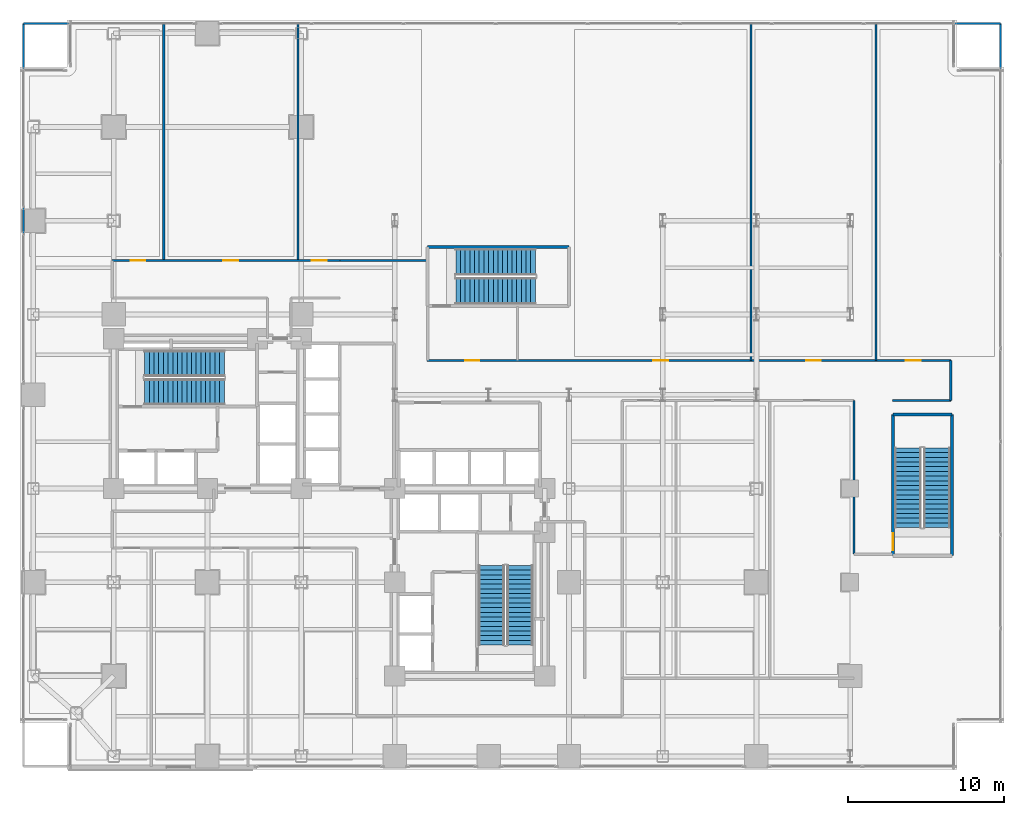
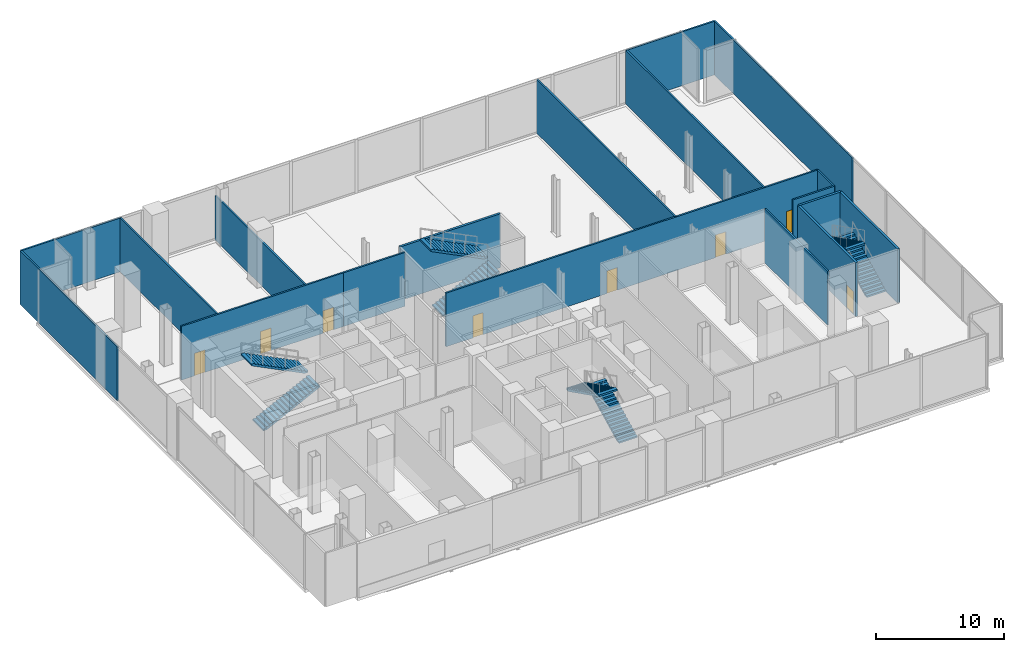
# One storey, part 23 of 27: 18 walls, 8 doors, 8 stair flights, 8 openings, 4 elements without a shape of their own.
"""IFC4 building model written with IfcOpenShell, lengths in metres."""

import ifcopenshell
import ifcopenshell.guid

model = None  # the IFC model being written
_history = None  # IfcOwnerHistory: only IFC2X3 demands one
_inside = {}  # id of a spatial element -> (the spatial element, [elements in it])
_under = {}  # id of a project, library or spatial element -> (it, [spatial elements below it])
_declared = {}  # id of a project -> (the project, [libraries it declares])
_typed = {}  # id of a type object -> (the type object, [elements of that type])
_made_of = {}  # id of a material, layer set ... -> (it, [elements and type objects made of it])


def new_model(schema):
    """Start an empty IFC model of exactly this schema.

    Asked for "IFC4X3", IfcOpenShell would pick the latest addendum, in which some entities
    have other attributes; the version numbers below select the first issue.
    IFC2X3 requires an IfcOwnerHistory on every rooted entity: one is made here for all.
    """
    global model, _history
    if schema == "IFC4X3":
        model = ifcopenshell.file(schema_version=(4, 3, 0, 0))
    else:
        model = ifcopenshell.file(schema=schema)
    _inside.clear()
    _under.clear()
    _declared.clear()
    _typed.clear()
    _made_of.clear()
    _history = None
    if model.schema == "IFC2X3":
        org = make("IfcOrganization", Name="unknown")
        user = make(
            "IfcPersonAndOrganization",
            ThePerson=make("IfcPerson", FamilyName="unknown"),
            TheOrganization=org,
        )
        app = make(
            "IfcApplication",
            ApplicationDeveloper=org,
            Version="unknown",
            ApplicationFullName="unknown",
            ApplicationIdentifier="unknown",
        )
        _history = make(
            "IfcOwnerHistory",
            OwningUser=user,
            OwningApplication=app,
            ChangeAction="ADDED",
            CreationDate=0,
        )
    return model


def make(cls, **values):
    """One entity of the class cls with the attributes given. An attribute that is None is left unset."""
    return model.create_entity(
        cls, **{name: value for name, value in values.items() if value is not None}
    )


def rooted(cls, **values):
    """An entity with a GlobalId (a new one), such as an element, a storey or a relation."""
    return make(cls, GlobalId=ifcopenshell.guid.new(), OwnerHistory=_history, **values)


def si_unit(unit_type, name, prefix=None):
    """IfcSIUnit, for example si_unit("LENGTHUNIT", "METRE", prefix="MILLI")."""
    return make("IfcSIUnit", UnitType=unit_type, Prefix=prefix, Name=name)


def assignment(units):
    """IfcUnitAssignment: the units of a project."""
    return None if units is None else make("IfcUnitAssignment", Units=units)


def point(xyz):
    """IfcCartesianPoint."""
    return None if xyz is None else make("IfcCartesianPoint", Coordinates=xyz)


def direction(xyz):
    """IfcDirection."""
    return None if xyz is None else make("IfcDirection", DirectionRatios=xyz)


def frame(location, z_axis=None, x_axis=None):
    """IfcAxis2Placement3D, a coordinate frame: its origin and axes. An axis left out is left unset."""
    return make(
        "IfcAxis2Placement3D",
        Location=point(location),
        Axis=direction(z_axis),
        RefDirection=direction(x_axis),
    )


def frame_2d(location, x_axis=None):
    """IfcAxis2Placement2D, a coordinate frame in the plane: its origin and x axis."""
    return make(
        "IfcAxis2Placement2D", Location=point(location), RefDirection=direction(x_axis)
    )


def origin():
    """The frame at (0, 0, 0) with its axes left unset."""
    return frame((0.0, 0.0, 0.0))


def place(relative_to, where):
    """IfcLocalPlacement: puts the frame where relative to a parent placement (None: the world)."""
    return make(
        "IfcLocalPlacement", PlacementRelTo=relative_to, RelativePlacement=where
    )


def context(
    kind, dimensions, precision=None, world=None, true_north=None, identifier=None
):
    """IfcGeometricRepresentationContext, for example the 3D "Model" context."""
    return make(
        "IfcGeometricRepresentationContext",
        ContextIdentifier=identifier,
        ContextType=kind,
        CoordinateSpaceDimension=dimensions,
        Precision=precision,
        WorldCoordinateSystem=world,
        TrueNorth=true_north,
    )


def subcontext(parent, identifier, kind, view, scale=None):
    """IfcGeometricRepresentationSubContext, for example "Body" below "Model"."""
    return make(
        "IfcGeometricRepresentationSubContext",
        ContextIdentifier=identifier,
        ContextType=kind,
        ParentContext=parent,
        TargetScale=scale,
        TargetView=view,
    )


def project(units=None, contexts=None):
    """IfcProject with its units and contexts."""
    return rooted(
        "IfcProject",
        Name="project",
        RepresentationContexts=contexts,
        UnitsInContext=assignment(units),
    )


def spatial(cls, under=None, at=None, **own):
    """A site, building, storey or space (cls), placed at a placement, below another one or the project."""
    s = rooted(cls, ObjectPlacement=at, **own)
    if under is not None:
        _under.setdefault(under.id(), (under, []))[1].append(s)
    return s


def polyline(points):
    """IfcPolyline through the points."""
    return make("IfcPolyline", Points=[point(p) for p in points])


def profile(cls, at=None, kind="AREA", **sizes):
    """A parametric profile (cls). Its sizes go by their IFC names, for example OverallWidth=200.0."""
    return make(cls, ProfileType=kind, Position=at, **sizes)


def rectangle(**sizes):
    """IfcRectangleProfileDef."""
    return profile("IfcRectangleProfileDef", **sizes)


def outline(outer, holes=None, kind="AREA"):
    """IfcArbitraryClosedProfileDef: a profile drawn as a closed curve; with holes, ...WithVoids."""
    if holes is None:
        return make("IfcArbitraryClosedProfileDef", ProfileType=kind, OuterCurve=outer)
    return make(
        "IfcArbitraryProfileDefWithVoids",
        ProfileType=kind,
        OuterCurve=outer,
        InnerCurves=holes,
    )


def extrude(swept, where, along, depth):
    """IfcExtrudedAreaSolid: the profile swept, set in the frame where, extruded along a direction by depth."""
    return make(
        "IfcExtrudedAreaSolid",
        SweptArea=swept,
        Position=where,
        ExtrudedDirection=direction(along),
        Depth=depth,
    )


def shape(context_of_items, identifier, shape_type, items):
    """IfcShapeRepresentation: the items that make up one representation, for example the "Body"."""
    return make(
        "IfcShapeRepresentation",
        ContextOfItems=context_of_items,
        RepresentationIdentifier=identifier,
        RepresentationType=shape_type,
        Items=items,
    )


def material(Name=None, Category=None):
    """IfcMaterial."""
    return make("IfcMaterial", Name=Name, Category=Category)


def layer(
    of_material, thickness, ventilated=None, Name=None, Category=None, Priority=None
):
    """IfcMaterialLayer: one layer of a wall or slab, of a material (None: an air gap)."""
    return make(
        "IfcMaterialLayer",
        Material=of_material,
        LayerThickness=thickness,
        IsVentilated=ventilated,
        Name=Name,
        Category=Category,
        Priority=Priority,
    )


def layer_set(layers, Name=None):
    """IfcMaterialLayerSet."""
    return make("IfcMaterialLayerSet", MaterialLayers=layers, LayerSetName=Name)


def made_of(thing, what):
    """Note that an element or type object is made of a material, layer set ...; save() writes the relation."""
    if what is not None:
        _made_of.setdefault(what.id(), (what, []))[1].append(thing)
    return thing


def type_object(cls, material=None, **own):
    """A type object (cls), such as IfcWallType, which elements share."""
    return made_of(rooted(cls, **own), material)


def element(
    cls,
    number,
    at=None,
    inside=None,
    cuts=None,
    type_object=None,
    material=None,
    context=None,
    identifier="Body",
    shape_type=None,
    held_by="IfcProductDefinitionShape",
    body=None,
    shapes=None,
    **own,
):
    """One element of the class cls, such as IfcWall. Its Tag is "e" and its number.

    at: its placement. inside: the storey or other place that contains it. cuts: it is an
    opening in that element (IfcRelVoidsElement). A single representation is given by context,
    identifier, shape_type and body (its items); several are given by shapes. held_by: the class
    of the entity that holds the representations. save() writes the other relations.
    """
    e = rooted(cls, Tag="e%d" % number, ObjectPlacement=at, **own)
    if body is not None:
        shapes = [shape(context, identifier, shape_type, body)]
    if shapes is not None:
        e.Representation = make(held_by, Representations=shapes)
    if inside is not None:
        _inside.setdefault(inside.id(), (inside, []))[1].append(e)
    if cuts is not None:
        rooted(
            "IfcRelVoidsElement", RelatingBuildingElement=cuts, RelatedOpeningElement=e
        )
    if type_object is not None:
        _typed.setdefault(type_object.id(), (type_object, []))[1].append(e)
    return made_of(e, material)


def fill(opening, filler):
    """IfcRelFillsElement: the door or window that sits in an opening."""
    return rooted(
        "IfcRelFillsElement",
        RelatingOpeningElement=opening,
        RelatedBuildingElement=filler,
    )


def aggregate(whole, parts):
    """IfcRelAggregates: a whole, such as a stair, and the parts it consists of."""
    return rooted("IfcRelAggregates", RelatingObject=whole, RelatedObjects=parts)


def save(model, path):
    """Write the relations noted so far, then the file.

    IfcRelAggregates (storeys below a building ...), IfcRelContainedInSpatialStructure (elements
    in a storey), IfcRelDefinesByType, IfcRelAssociatesMaterial and IfcRelDeclares: one each for
    every whole, place, type object, material and project.
    """
    for whole, parts in _under.values():
        aggregate(whole, parts)
    for where, things in _inside.values():
        rooted(
            "IfcRelContainedInSpatialStructure",
            RelatedElements=things,
            RelatingStructure=where,
        )
    for kind, things in _typed.values():
        rooted("IfcRelDefinesByType", RelatedObjects=things, RelatingType=kind)
    for what, things in _made_of.values():
        rooted("IfcRelAssociatesMaterial", RelatedObjects=things, RelatingMaterial=what)
    for by, libraries in _declared.values():
        rooted("IfcRelDeclares", RelatingContext=by, RelatedDefinitions=libraries)
    model.write(path)


model = new_model("IFC4")

# Units and contexts
model_context = context("Model", 3, precision=1e-05, world=origin(), true_north=direction((0.0, 1.0)))
body_context = subcontext(model_context, "Body", "Model", "MODEL_VIEW")
ifc_project = project(units=[si_unit("LENGTHUNIT", "METRE"), si_unit("AREAUNIT", "SQUARE_METRE"), si_unit("VOLUMEUNIT", "CUBIC_METRE"), si_unit("PLANEANGLEUNIT", "RADIAN"), si_unit("MASSUNIT", "GRAM", prefix="KILO"), si_unit("THERMODYNAMICTEMPERATUREUNIT", "KELVIN"), si_unit("POWERUNIT", "WATT")], contexts=[model_context])

# Site, building, storey
site_placement = place(None, origin())
site = spatial("IfcSite", under=ifc_project, at=site_placement, CompositionType="ELEMENT")
building_placement = place(site_placement, origin())
building = spatial("IfcBuilding", under=site, at=building_placement, Name="Svarakhadi Broadcast Tower", CompositionType="ELEMENT")
storey_placement = place(building_placement, frame((0.0, 0.0, 16.5)))
storey = spatial("IfcBuildingStorey", under=building, at=storey_placement, Name="L03", CompositionType="ELEMENT", Elevation=16.5)

# Wall, openings, doors
ifc_material_1 = material(Name="Autoclaved Aerated Concrete Blockwork 150 mm", Category="masonry")
ifc_layer_1 = layer(ifc_material_1, 0.14990234375)
ifc_layer_set_1 = layer_set([ifc_layer_1], Name="Autoclaved Aerated Concrete Blockwork 150 mm")
wall_type_1 = type_object("IfcWallType", Name="Wall_Part_150", PredefinedType="PARTITIONING", material=ifc_layer_set_1)
wall_1_placement = place(storey_placement, frame((5.89990234375, 32.60009765625, 0.0), z_axis=(0.0, 0.0, 1.0), x_axis=(1.0, 0.0, 0.0)))
wall_1 = element("IfcWall", 1, at=wall_1_placement, inside=storey, type_object=wall_type_1, Name="L03 Podium Gallery Wall", PredefinedType="PARTITIONING", context=body_context, shape_type="SweptSolid", body=[
    extrude(rectangle(XDim=14.60009765625, YDim=0.14990234375, at=frame_2d((7.300048828125, 0.0))), origin(), (0.0, 0.0, 1.0), 5.125),
])
opening_1_placement = place(wall_1_placement, frame((1.175048828125, 0.0, 0.0)))
opening_1 = element("IfcOpeningElement", 2, at=opening_1_placement, cuts=wall_1, Name="Opening D-07", PredefinedType="OPENING", context=body_context, shape_type="SweptSolid", body=[
    extrude(rectangle(XDim=0.949951171875, YDim=2.14990234375, at=frame_2d((0.47509765625, 1.074951171875))), frame((0.0, 0.0849609375, 0.0), z_axis=(0.0, -1.0, 0.0), x_axis=(1.0, 0.0, 0.0)), (0.0, 0.0, 1.0), 0.169921875),
])
opening_2_placement = place(wall_1_placement, frame((7.125, 0.0, 0.0)))
opening_2 = element("IfcOpeningElement", 3, at=opening_2_placement, cuts=wall_1, Name="Opening D-06", PredefinedType="OPENING", context=body_context, shape_type="SweptSolid", body=[
    extrude(rectangle(XDim=0.949951171875, YDim=2.14990234375, at=frame_2d((0.47509765625, 1.074951171875))), frame((0.0, 0.0849609375, 0.0), z_axis=(0.0, -1.0, 0.0), x_axis=(1.0, 0.0, 0.0)), (0.0, 0.0, 1.0), 0.169921875),
])
opening_3_placement = place(wall_1_placement, frame((12.77490234375, 0.0, 0.0)))
opening_3 = element("IfcOpeningElement", 4, at=opening_3_placement, cuts=wall_1, Name="Opening D-07", PredefinedType="OPENING", context=body_context, shape_type="SweptSolid", body=[
    extrude(rectangle(XDim=0.949951171875, YDim=2.14990234375, at=frame_2d((0.47509765625, 1.074951171875))), frame((0.0, 0.0849609375, 0.0), z_axis=(0.0, -1.0, 0.0), x_axis=(1.0, 0.0, 0.0)), (0.0, 0.0, 1.0), 0.169921875),
])
ifc_material_2 = material(Name="Solid-Core Teak Veneer Acoustic Timber Leaf", Category="wood")
door_type_1 = type_object("IfcDoorType", Name="Door_Office_D06", OperationType="SINGLE_SWING_LEFT", PredefinedType="DOOR", material=ifc_material_2)
door_1_placement = place(opening_2_placement, origin())
door_1 = element("IfcDoor", 5, at=door_1_placement, inside=storey, type_object=door_type_1, Name="L03 L03 Scenic Prop Storage Room Door", OperationType="SINGLE_SWING_LEFT", OverallHeight=2.14990234375, OverallWidth=0.949951171875, PredefinedType="DOOR", context=body_context, shape_type="SweptSolid", body=[
    extrude(rectangle(XDim=0.949951171875, YDim=2.14990234375, at=frame_2d((0.47509765625, 1.074951171875))), frame((0.0, 0.02490234375, 0.0), z_axis=(0.0, -1.0, 0.0), x_axis=(1.0, 0.0, 0.0)), (0.0, 0.0, 1.0), 0.050048828125),
])
fill(opening_2, door_1)
door_type_2 = type_object("IfcDoorType", Name="Door_Office_D07", OperationType="SINGLE_SWING_RIGHT", PredefinedType="DOOR", material=ifc_material_2)
door_2_placement = place(opening_1_placement, origin())
door_2 = element("IfcDoor", 6, at=door_2_placement, inside=storey, type_object=door_type_2, Name="L03 L03 Radio Drama Studio Door", OperationType="SINGLE_SWING_RIGHT", OverallHeight=2.14990234375, OverallWidth=0.949951171875, PredefinedType="DOOR", context=body_context, shape_type="SweptSolid", body=[
    extrude(rectangle(XDim=0.949951171875, YDim=2.14990234375, at=frame_2d((0.47509765625, 1.074951171875))), frame((0.0, 0.02490234375, 0.0), z_axis=(0.0, -1.0, 0.0), x_axis=(1.0, 0.0, 0.0)), (0.0, 0.0, 1.0), 0.050048828125),
])
fill(opening_1, door_2)
door_3_placement = place(opening_3_placement, origin())
door_3 = element("IfcDoor", 7, at=door_3_placement, inside=storey, type_object=door_type_2, Name="L03 L03 Broadcast Dressing Lounge Door", OperationType="SINGLE_SWING_RIGHT", OverallHeight=2.14990234375, OverallWidth=0.949951171875, PredefinedType="DOOR", context=body_context, shape_type="SweptSolid", body=[
    extrude(rectangle(XDim=0.949951171875, YDim=2.14990234375, at=frame_2d((0.47509765625, 1.074951171875))), frame((0.0, 0.02490234375, 0.0), z_axis=(0.0, -1.0, 0.0), x_axis=(1.0, 0.0, 0.0)), (0.0, 0.0, 1.0), 0.050048828125),
])
fill(opening_3, door_3)

# Wall
wall_2_placement = place(storey_placement, frame((20.5, 32.60009765625, 0.0), z_axis=(0.0, 0.0, 1.0), x_axis=(1.0, 0.0, 0.0)))
element("IfcWall", 8, at=wall_2_placement, inside=storey, type_object=wall_type_1, Name="L03 Podium Gallery Wall", PredefinedType="PARTITIONING", context=body_context, shape_type="SweptSolid", body=[
    extrude(rectangle(XDim=5.550048828125, YDim=0.14990234375, at=frame_2d((2.77490234375, 0.0))), origin(), (0.0, 0.0, 1.0), 5.125),
])

# Wall, openings, doors
wall_3_placement = place(storey_placement, frame((26.050048828125, 26.199951171875, 0.0), z_axis=(0.0, 0.0, 1.0), x_axis=(1.0, 0.0, 0.0)))
wall_3 = element("IfcWall", 9, at=wall_3_placement, inside=storey, type_object=wall_type_1, Name="L03 Podium Gallery Wall", PredefinedType="PARTITIONING", context=body_context, shape_type="SweptSolid", body=[
    extrude(rectangle(XDim=33.550048828125, YDim=0.14990234375, at=frame_2d((16.77490234375, 0.0))), origin(), (0.0, 0.0, 1.0), 5.125),
])
opening_4_placement = place(wall_3_placement, frame((2.449951171875, 0.0, 0.0)))
opening_4 = element("IfcOpeningElement", 10, at=opening_4_placement, cuts=wall_3, Name="Opening D-12", PredefinedType="OPENING", context=body_context, shape_type="SweptSolid", body=[
    extrude(rectangle(XDim=0.89990234375, YDim=2.10009765625, at=frame_2d((0.449951171875, 1.050048828125))), frame((0.0, 0.0849609375, 0.0), z_axis=(0.0, -1.0, 0.0), x_axis=(1.0, 0.0, 0.0)), (0.0, 0.0, 1.0), 0.169921875),
])
opening_5_placement = place(wall_3_placement, frame((14.5, 0.0, 0.0)))
opening_5 = element("IfcOpeningElement", 11, at=opening_5_placement, cuts=wall_3, Name="Opening D-07", PredefinedType="OPENING", context=body_context, shape_type="SweptSolid", body=[
    extrude(rectangle(XDim=0.949951171875, YDim=2.14990234375, at=frame_2d((0.47509765625, 1.074951171875))), frame((0.0, 0.0849609375, 0.0), z_axis=(0.0, -1.0, 0.0), x_axis=(1.0, 0.0, 0.0)), (0.0, 0.0, 1.0), 0.169921875),
])
opening_6_placement = place(wall_3_placement, frame((24.27490234375, 0.0, 0.0)))
opening_6 = element("IfcOpeningElement", 12, at=opening_6_placement, cuts=wall_3, Name="Opening D-06", PredefinedType="OPENING", context=body_context, shape_type="SweptSolid", body=[
    extrude(rectangle(XDim=0.949951171875, YDim=2.14990234375, at=frame_2d((0.47509765625, 1.074951171875))), frame((0.0, 0.0849609375, 0.0), z_axis=(0.0, -1.0, 0.0), x_axis=(1.0, 0.0, 0.0)), (0.0, 0.0, 1.0), 0.169921875),
])
opening_7_placement = place(wall_3_placement, frame((30.675048828125, 0.0, 0.0)))
opening_7 = element("IfcOpeningElement", 13, at=opening_7_placement, cuts=wall_3, Name="Opening D-07", PredefinedType="OPENING", context=body_context, shape_type="SweptSolid", body=[
    extrude(rectangle(XDim=0.949951171875, YDim=2.14990234375, at=frame_2d((0.47509765625, 1.074951171875))), frame((0.0, 0.0849609375, 0.0), z_axis=(0.0, -1.0, 0.0), x_axis=(1.0, 0.0, 0.0)), (0.0, 0.0, 1.0), 0.169921875),
])
door_4_placement = place(opening_6_placement, origin())
door_4 = element("IfcDoor", 14, at=door_4_placement, inside=storey, type_object=door_type_1, Name="L03 L03 Editorial Conference Room Door", OperationType="SINGLE_SWING_LEFT", OverallHeight=2.14990234375, OverallWidth=0.949951171875, PredefinedType="DOOR", context=body_context, shape_type="SweptSolid", body=[
    extrude(rectangle(XDim=0.949951171875, YDim=2.14990234375, at=frame_2d((0.47509765625, 1.074951171875))), frame((0.0, 0.02490234375, 0.0), z_axis=(0.0, -1.0, 0.0), x_axis=(1.0, 0.0, 0.0)), (0.0, 0.0, 1.0), 0.050048828125),
])
fill(opening_6, door_4)
door_5_placement = place(opening_5_placement, origin())
door_5 = element("IfcDoor", 15, at=door_5_placement, inside=storey, type_object=door_type_2, Name="L03 L03 Satellite Ingest and Playout Office Door", OperationType="SINGLE_SWING_RIGHT", OverallHeight=2.14990234375, OverallWidth=0.949951171875, PredefinedType="DOOR", context=body_context, shape_type="SweptSolid", body=[
    extrude(rectangle(XDim=0.949951171875, YDim=2.14990234375, at=frame_2d((0.47509765625, 1.074951171875))), frame((0.0, 0.02490234375, 0.0), z_axis=(0.0, -1.0, 0.0), x_axis=(1.0, 0.0, 0.0)), (0.0, 0.0, 1.0), 0.050048828125),
])
fill(opening_5, door_5)
door_6_placement = place(opening_7_placement, origin())
door_6 = element("IfcDoor", 16, at=door_6_placement, inside=storey, type_object=door_type_2, Name="L03 L03 Staff Dining Canteen Door", OperationType="SINGLE_SWING_RIGHT", OverallHeight=2.14990234375, OverallWidth=0.949951171875, PredefinedType="DOOR", context=body_context, shape_type="SweptSolid", body=[
    extrude(rectangle(XDim=0.949951171875, YDim=2.14990234375, at=frame_2d((0.47509765625, 1.074951171875))), frame((0.0, 0.02490234375, 0.0), z_axis=(0.0, -1.0, 0.0), x_axis=(1.0, 0.0, 0.0)), (0.0, 0.0, 1.0), 0.050048828125),
])
fill(opening_7, door_6)
door_type_3 = type_object("IfcDoorType", Name="Door_WC_D01", OperationType="SINGLE_SWING_LEFT", PredefinedType="DOOR", material=ifc_material_2)
door_7_placement = place(opening_4_placement, origin())
door_7 = element("IfcDoor", 17, at=door_7_placement, inside=storey, type_object=door_type_3, Name="L03 Staff Toilet WC Door", OperationType="SINGLE_SWING_LEFT", OverallHeight=2.10009765625, OverallWidth=0.89990234375, PredefinedType="DOOR", context=body_context, shape_type="SweptSolid", body=[
    extrude(rectangle(XDim=0.89990234375, YDim=2.10009765625, at=frame_2d((0.449951171875, 1.050048828125))), frame((0.0, 0.02490234375, 0.0), z_axis=(0.0, -1.0, 0.0), x_axis=(1.0, 0.0, 0.0)), (0.0, 0.0, 1.0), 0.050048828125),
])
fill(opening_4, door_7)

# Walls
wall_4_placement = place(storey_placement, frame((59.60009765625, 26.199951171875, 0.0), z_axis=(0.0, 0.0, 1.0), x_axis=(0.0, -1.0, 0.0)))
element("IfcWall", 18, at=wall_4_placement, inside=storey, type_object=wall_type_1, Name="L03 Podium Gallery Wall", PredefinedType="PARTITIONING", context=body_context, shape_type="SweptSolid", body=[
    extrude(rectangle(XDim=2.56005859375, YDim=0.14990234375, at=frame_2d((1.280029296875, 0.0))), origin(), (0.0, 0.0, 1.0), 5.125),
])
wall_5_placement = place(storey_placement, frame((59.60009765625, 23.639892578125, 0.0), z_axis=(0.0, 0.0, 1.0), x_axis=(-1.0, 0.0, 0.0)))
element("IfcWall", 19, at=wall_5_placement, inside=storey, type_object=wall_type_1, Name="L03 Podium Gallery Wall", PredefinedType="PARTITIONING", context=body_context, shape_type="SweptSolid", body=[
    extrude(rectangle(XDim=3.75, YDim=0.14990234375, at=frame_2d((1.875, 0.0))), origin(), (0.0, 0.0, 1.0), 5.125),
])
wall_6_placement = place(storey_placement, frame((53.39990234375, 13.800048828125, 0.0), z_axis=(0.0, 0.0, 1.0), x_axis=(0.0, 1.0, 0.0)))
element("IfcWall", 20, at=wall_6_placement, inside=storey, type_object=wall_type_1, Name="L03 Podium Gallery Wall", PredefinedType="PARTITIONING", context=body_context, shape_type="SweptSolid", body=[
    extrude(rectangle(XDim=9.83984375, YDim=0.14990234375, at=frame_2d((4.919921875, 0.0))), origin(), (0.0, 0.0, 1.0), 5.125),
])
for number, where, z_axis, x_axis, name in (
    (21, (46.800048828125, 26.199951171875, 0.0), (0.0, 0.0, 1.0), (0.0, 1.0, 0.0), "L03 L03 Satellite Ingest and Playout Office Wall"),
    (22, (54.800048828125, 26.199951171875, 0.0), (0.0, 0.0, 1.0), (0.0, 1.0, 0.0), "L03 L03 Editorial Conference Room Wall"),
):
    element("IfcWall", number, at=place(storey_placement, frame(where, z_axis=z_axis, x_axis=x_axis)), inside=storey, type_object=wall_type_1, Name=name, PredefinedType="PARTITIONING", context=body_context, shape_type="SweptSolid", body=[
        extrude(rectangle(XDim=21.580078125, YDim=0.14990234375, at=frame_2d((10.7900390625, 0.0))), origin(), (0.0, 0.0, 1.0), 5.125),
    ])
wall_7_placement = place(storey_placement, frame((54.800048828125, 47.780029296875, 0.0), z_axis=(0.0, 0.0, 1.0), x_axis=(1.0, 0.0, 0.0)))
element("IfcWall", 23, at=wall_7_placement, inside=storey, type_object=wall_type_1, Name="L03 L03 Staff Dining Canteen Wall", PredefinedType="PARTITIONING", context=body_context, shape_type="SweptSolid", body=[
    extrude(rectangle(XDim=7.97998046875, YDim=0.14990234375, at=frame_2d((3.989990234375, 0.0))), origin(), (0.0, 0.0, 1.0), 5.125),
])
wall_8_placement = place(storey_placement, frame((62.780029296875, 26.199951171875, 0.0), z_axis=(0.0, 0.0, 1.0), x_axis=(0.0, 1.0, 0.0)))
element("IfcWall", 24, at=wall_8_placement, inside=storey, type_object=wall_type_1, Name="L03 L03 Staff Dining Canteen Wall", PredefinedType="PARTITIONING", context=body_context, shape_type="SweptSolid", body=[
    extrude(rectangle(XDim=21.580078125, YDim=0.14990234375, at=frame_2d((10.7900390625, 0.0))), origin(), (0.0, 0.0, 1.0), 5.125),
])
wall_9_placement = place(storey_placement, frame((0.219970703125, 47.780029296875, 0.0), z_axis=(0.0, 0.0, 1.0), x_axis=(1.0, 0.0, 0.0)))
element("IfcWall", 25, at=wall_9_placement, inside=storey, type_object=wall_type_1, Name="L03 L03 Radio Drama Studio Wall", PredefinedType="PARTITIONING", context=body_context, shape_type="SweptSolid", body=[
    extrude(rectangle(XDim=8.97998046875, YDim=0.14990234375, at=frame_2d((4.489990234375, 0.0))), origin(), (0.0, 0.0, 1.0), 5.125),
])
for number, where, z_axis, x_axis, name in (
    (26, (0.219970703125, 32.60009765625, 0.0), (0.0, 0.0, 1.0), (0.0, 1.0, 0.0), "L03 L03 Radio Drama Studio Wall"),
    (27, (9.199951171875, 32.60009765625, 0.0), (0.0, 0.0, 1.0), (0.0, 1.0, 0.0), "L03 L03 Radio Drama Studio Wall"),
):
    element("IfcWall", number, at=place(storey_placement, frame(where, z_axis=z_axis, x_axis=x_axis)), inside=storey, type_object=wall_type_1, Name=name, PredefinedType="PARTITIONING", context=body_context, shape_type="SweptSolid", body=[
        extrude(rectangle(XDim=15.179931640625, YDim=0.14990234375, at=frame_2d((7.58984375, 0.0))), origin(), (0.0, 0.0, 1.0), 5.125),
    ])
wall_10_placement = place(storey_placement, frame((17.800048828125, 32.60009765625, 0.0), z_axis=(0.0, 0.0, 1.0), x_axis=(0.0, 1.0, 0.0)))
element("IfcWall", 28, at=wall_10_placement, inside=storey, type_object=wall_type_1, Name="L03 L03 Scenic Prop Storage Room Wall", PredefinedType="PARTITIONING", context=body_context, shape_type="SweptSolid", body=[
    extrude(rectangle(XDim=15.179931640625, YDim=0.14990234375, at=frame_2d((7.58984375, 0.0))), origin(), (0.0, 0.0, 1.0), 4.217041015625),
])
ifc_material_3 = material(Name="Concrete C50/60 (IS 456 M60)", Category="concrete")
ifc_layer_2 = layer(ifc_material_3, 0.199951171875)
ifc_layer_set_2 = layer_set([ifc_layer_2], Name="Concrete C50/60 (IS 456 M60)")
wall_type_2 = type_object("IfcWallType", Name="Wall_Shear_200", PredefinedType="SHEAR", material=ifc_layer_set_2)
wall_11_placement = place(storey_placement, frame((26.10009765625, 33.4599609375, 0.0), z_axis=(0.0, 0.0, 1.0), x_axis=(1.0, 0.0, 0.0)))
element("IfcWall", 29, at=wall_11_placement, inside=storey, type_object=wall_type_2, Name="L03 Stair ST-03 North RC Shaft Wall", PredefinedType="SHEAR", context=body_context, shape_type="SweptSolid", body=[
    extrude(rectangle(XDim=9.0498046875, YDim=0.199951171875, at=frame_2d((4.52490234375, 0.0))), origin(), (0.0, 0.0, 1.0), 5.125),
])

# Wall, opening, door
wall_12_placement = place(storey_placement, frame((55.89990234375, 13.699951171875, 0.0), z_axis=(0.0, 0.0, 1.0), x_axis=(0.0, 1.0, 0.0)))
wall_12 = element("IfcWall", 30, at=wall_12_placement, inside=storey, type_object=wall_type_2, Name="L03 Stair ST-04 West RC Shaft Wall", PredefinedType="SHEAR", context=body_context, shape_type="SweptSolid", body=[
    extrude(rectangle(XDim=9.050048828125, YDim=0.199951171875, at=frame_2d((4.52490234375, 0.0))), origin(), (0.0, 0.0, 1.0), 5.125),
])
opening_8_placement = place(wall_12_placement, frame((0.35009765625, 0.0, 0.0)))
opening_8 = element("IfcOpeningElement", 31, at=opening_8_placement, cuts=wall_12, Name="Opening D-02", PredefinedType="OPENING", context=body_context, shape_type="SweptSolid", body=[
    extrude(rectangle(XDim=1.10009765625, YDim=2.199951171875, at=frame_2d((0.550048828125, 1.10009765625))), frame((0.0, 0.10986328125, 0.0), z_axis=(0.0, -1.0, 0.0), x_axis=(1.0, 0.0, 0.0)), (0.0, 0.0, 1.0), 0.219970703125),
])
ifc_material_4 = material(Name="Galvanised Powder-Coated Fire-Rated Steel Leaf", Category="steel")
door_type_4 = type_object("IfcDoorType", Name="Door_Stair_D02", OperationType="SINGLE_SWING_RIGHT", PredefinedType="DOOR", material=ifc_material_4)
door_8_placement = place(opening_8_placement, origin())
door_8 = element("IfcDoor", 32, at=door_8_placement, inside=storey, type_object=door_type_4, Name="L03 Podium East Stair ST-04 Fire Door", OperationType="SINGLE_SWING_RIGHT", OverallHeight=2.199951171875, OverallWidth=1.10009765625, PredefinedType="DOOR", context=body_context, shape_type="SweptSolid", body=[
    extrude(rectangle(XDim=1.10009765625, YDim=2.199951171875, at=frame_2d((0.550048828125, 1.10009765625))), frame((0.0, 0.02490234375, 0.0), z_axis=(0.0, -1.0, 0.0), x_axis=(1.0, 0.0, 0.0)), (0.0, 0.0, 1.0), 0.050048828125),
])
fill(opening_8, door_8)

# Walls
wall_13_placement = place(storey_placement, frame((59.659912109375, 13.699951171875, 0.0), z_axis=(0.0, 0.0, 1.0), x_axis=(0.0, 1.0, 0.0)))
element("IfcWall", 33, at=wall_13_placement, inside=storey, type_object=wall_type_2, Name="L03 Stair ST-04 East RC Shaft Wall", PredefinedType="SHEAR", context=body_context, shape_type="SweptSolid", body=[
    extrude(rectangle(XDim=9.050048828125, YDim=0.199951171875, at=frame_2d((4.52490234375, 0.0))), origin(), (0.0, 0.0, 1.0), 5.125),
])
wall_14_placement = place(storey_placement, frame((55.89990234375, 22.75, 0.0), z_axis=(0.0, 0.0, 1.0), x_axis=(1.0, 0.0, 0.0)))
element("IfcWall", 34, at=wall_14_placement, inside=storey, type_object=wall_type_2, Name="L03 Stair ST-04 North RC Shaft Wall", PredefinedType="SHEAR", context=body_context, shape_type="SweptSolid", body=[
    extrude(rectangle(XDim=3.760009765625, YDim=0.199951171875, at=frame_2d((1.8798828125, 0.0))), origin(), (0.0, 0.0, 1.0), 5.125),
])

# Stair, stair flights
ifc_material_5 = material(Name="Concrete C40/50 (IS 456 M50)", Category="concrete")
stair_type_1 = type_object("IfcStairType", Name="Stair_Exit_Core", PredefinedType="HALF_TURN_STAIR", material=ifc_material_5)
stair_1_placement = place(storey_placement, origin())
stair_1 = element("IfcStair", 35, at=stair_1_placement, inside=storey, type_object=stair_type_1, Name="L03 West Core Protected Exit Stair ST-01", PredefinedType="HALF_TURN_STAIR")
stair_flight_type_1 = type_object("IfcStairFlightType", Name="Flight_RC_1680", PredefinedType="STRAIGHT", material=ifc_material_5)
stair_flight_1_placement = place(storey_placement, frame((7.97998046875, 24.18994140625, 0.0), z_axis=(0.0, 0.0, 1.0), x_axis=(1.0, 0.0, 0.0)))
stair_flight_1 = element("IfcStairFlight", 36, at=stair_flight_1_placement, type_object=stair_flight_type_1, Name="ST-01 flight 1", NumberOfRisers=18, NumberOfTreads=17, PredefinedType="STRAIGHT", RiserHeight=0.15, TreadLength=0.3, context=body_context, shape_type="SweptSolid", body=[
    extrude(outline(polyline([(0.0, 0.0), (0.0, 0.14990234375), (0.300048828125, 0.14990234375), (0.300048828125, 0.300048828125), (0.60009765625, 0.300048828125), (0.60009765625, 0.449951171875), (0.89990234375, 0.449951171875), (0.89990234375, 0.60009765625), (1.199951171875, 0.60009765625), (1.199951171875, 0.75), (1.5, 0.75), (1.5, 0.89990234375), (1.800048828125, 0.89990234375), (1.800048828125, 1.050048828125), (2.10009765625, 1.050048828125), (2.10009765625, 1.199951171875), (2.39990234375, 1.199951171875), (2.39990234375, 1.35009765625), (2.699951171875, 1.35009765625), (2.699951171875, 1.5), (3.0, 1.5), (3.0, 1.64990234375), (3.300048828125, 1.64990234375), (3.300048828125, 1.800048828125), (3.60009765625, 1.800048828125), (3.60009765625, 1.949951171875), (3.89990234375, 1.949951171875), (3.89990234375, 2.10009765625), (4.199951171875, 2.10009765625), (4.199951171875, 2.25), (4.5, 2.25), (4.5, 2.39990234375), (4.800048828125, 2.39990234375), (4.800048828125, 2.550048828125), (5.10009765625, 2.550048828125), (5.10009765625, 2.699951171875), (5.10009765625, 2.38232421875), (0.335205078125, 0.0), (0.0, 0.0)])), frame((0.0, 0.830078125, 0.0), z_axis=(0.0, -1.0, 0.0), x_axis=(1.0, 0.0, 0.0)), (0.0, 0.0, 1.0), 1.659912109375),
])
stair_flight_2_placement = place(storey_placement, frame((13.080078125, 26.010009765625, 2.699951171875), z_axis=(0.0, 0.0, 1.0), x_axis=(-1.0, 0.0, 0.0)))
stair_flight_2 = element("IfcStairFlight", 37, at=stair_flight_2_placement, type_object=stair_flight_type_1, Name="ST-01 flight 2", NumberOfRisers=18, NumberOfTreads=17, PredefinedType="STRAIGHT", RiserHeight=0.15, TreadLength=0.3, context=body_context, shape_type="SweptSolid", body=[
    extrude(outline(polyline([(0.0, 0.0), (0.0, 0.14990234375), (0.300048828125, 0.14990234375), (0.300048828125, 0.300048828125), (0.60009765625, 0.300048828125), (0.60009765625, 0.449951171875), (0.89990234375, 0.449951171875), (0.89990234375, 0.60009765625), (1.199951171875, 0.60009765625), (1.199951171875, 0.75), (1.5, 0.75), (1.5, 0.89990234375), (1.800048828125, 0.89990234375), (1.800048828125, 1.050048828125), (2.10009765625, 1.050048828125), (2.10009765625, 1.199951171875), (2.39990234375, 1.199951171875), (2.39990234375, 1.35009765625), (2.699951171875, 1.35009765625), (2.699951171875, 1.5), (3.0, 1.5), (3.0, 1.64990234375), (3.300048828125, 1.64990234375), (3.300048828125, 1.800048828125), (3.60009765625, 1.800048828125), (3.60009765625, 1.949951171875), (3.89990234375, 1.949951171875), (3.89990234375, 2.10009765625), (4.199951171875, 2.10009765625), (4.199951171875, 2.25), (4.5, 2.25), (4.5, 2.39990234375), (4.800048828125, 2.39990234375), (4.800048828125, 2.550048828125), (5.10009765625, 2.550048828125), (5.10009765625, 2.699951171875), (5.10009765625, 2.38232421875), (0.335205078125, 0.0), (0.0, 0.0)])), frame((0.0, 0.830078125, 0.0), z_axis=(0.0, -1.0, 0.0), x_axis=(1.0, 0.0, 0.0)), (0.0, 0.0, 1.0), 1.659912109375),
])
aggregate(stair_1, [stair_flight_1, stair_flight_2])

stair_2_placement = place(storey_placement, origin())
stair_2 = element("IfcStair", 38, at=stair_2_placement, inside=storey, type_object=stair_type_1, Name="L03 East Core Protected Exit Stair ST-02", PredefinedType="HALF_TURN_STAIR")
stair_flight_3_placement = place(storey_placement, frame((32.010009765625, 7.97998046875, 0.0), z_axis=(0.0, 0.0, 1.0), x_axis=(0.0, 1.0, 0.0)))
stair_flight_3 = element("IfcStairFlight", 39, at=stair_flight_3_placement, type_object=stair_flight_type_1, Name="ST-02 flight 1", NumberOfRisers=18, NumberOfTreads=17, PredefinedType="STRAIGHT", RiserHeight=0.15, TreadLength=0.3, context=body_context, shape_type="SweptSolid", body=[
    extrude(outline(polyline([(0.0, 0.0), (0.0, 0.14990234375), (0.300048828125, 0.14990234375), (0.300048828125, 0.300048828125), (0.60009765625, 0.300048828125), (0.60009765625, 0.449951171875), (0.89990234375, 0.449951171875), (0.89990234375, 0.60009765625), (1.199951171875, 0.60009765625), (1.199951171875, 0.75), (1.5, 0.75), (1.5, 0.89990234375), (1.800048828125, 0.89990234375), (1.800048828125, 1.050048828125), (2.10009765625, 1.050048828125), (2.10009765625, 1.199951171875), (2.39990234375, 1.199951171875), (2.39990234375, 1.35009765625), (2.699951171875, 1.35009765625), (2.699951171875, 1.5), (3.0, 1.5), (3.0, 1.64990234375), (3.300048828125, 1.64990234375), (3.300048828125, 1.800048828125), (3.60009765625, 1.800048828125), (3.60009765625, 1.949951171875), (3.89990234375, 1.949951171875), (3.89990234375, 2.10009765625), (4.199951171875, 2.10009765625), (4.199951171875, 2.25), (4.5, 2.25), (4.5, 2.39990234375), (4.800048828125, 2.39990234375), (4.800048828125, 2.550048828125), (5.10009765625, 2.550048828125), (5.10009765625, 2.699951171875), (5.10009765625, 2.38232421875), (0.335205078125, 0.0), (0.0, 0.0)])), frame((0.0, 0.830078125, 0.0), z_axis=(0.0, -1.0, 0.0), x_axis=(1.0, 0.0, 0.0)), (0.0, 0.0, 1.0), 1.659912109375),
])
stair_flight_4_placement = place(storey_placement, frame((30.18994140625, 13.080078125, 2.699951171875), z_axis=(0.0, 0.0, 1.0), x_axis=(0.0, -1.0, 0.0)))
stair_flight_4 = element("IfcStairFlight", 40, at=stair_flight_4_placement, type_object=stair_flight_type_1, Name="ST-02 flight 2", NumberOfRisers=18, NumberOfTreads=17, PredefinedType="STRAIGHT", RiserHeight=0.15, TreadLength=0.3, context=body_context, shape_type="SweptSolid", body=[
    extrude(outline(polyline([(0.0, 0.0), (0.0, 0.14990234375), (0.300048828125, 0.14990234375), (0.300048828125, 0.300048828125), (0.60009765625, 0.300048828125), (0.60009765625, 0.449951171875), (0.89990234375, 0.449951171875), (0.89990234375, 0.60009765625), (1.199951171875, 0.60009765625), (1.199951171875, 0.75), (1.5, 0.75), (1.5, 0.89990234375), (1.800048828125, 0.89990234375), (1.800048828125, 1.050048828125), (2.10009765625, 1.050048828125), (2.10009765625, 1.199951171875), (2.39990234375, 1.199951171875), (2.39990234375, 1.35009765625), (2.699951171875, 1.35009765625), (2.699951171875, 1.5), (3.0, 1.5), (3.0, 1.64990234375), (3.300048828125, 1.64990234375), (3.300048828125, 1.800048828125), (3.60009765625, 1.800048828125), (3.60009765625, 1.949951171875), (3.89990234375, 1.949951171875), (3.89990234375, 2.10009765625), (4.199951171875, 2.10009765625), (4.199951171875, 2.25), (4.5, 2.25), (4.5, 2.39990234375), (4.800048828125, 2.39990234375), (4.800048828125, 2.550048828125), (5.10009765625, 2.550048828125), (5.10009765625, 2.699951171875), (5.10009765625, 2.38232421875), (0.335205078125, 0.0), (0.0, 0.0)])), frame((0.0, 0.830078125, 0.0), z_axis=(0.0, -1.0, 0.0), x_axis=(1.0, 0.0, 0.0)), (0.0, 0.0, 1.0), 1.659912109375),
])
aggregate(stair_2, [stair_flight_3, stair_flight_4])

stair_type_2 = type_object("IfcStairType", Name="Stair_Exit_Pod", PredefinedType="HALF_TURN_STAIR", material=ifc_material_5)
stair_3_placement = place(storey_placement, origin())
stair_3 = element("IfcStair", 41, at=stair_3_placement, inside=storey, type_object=stair_type_2, Name="L03 Podium Concourse Broadcast Exit Stair ST-03", PredefinedType="HALF_TURN_STAIR")
stair_flight_type_2 = type_object("IfcStairFlightType", Name="Flight_RC_1800", PredefinedType="STRAIGHT", material=ifc_material_5)
stair_flight_5_placement = place(storey_placement, frame((27.89990234375, 30.64990234375, 0.0), z_axis=(0.0, 0.0, 1.0), x_axis=(1.0, 0.0, 0.0)))
stair_flight_5 = element("IfcStairFlight", 42, at=stair_flight_5_placement, type_object=stair_flight_type_2, Name="ST-03 flight 1", NumberOfRisers=18, NumberOfTreads=17, PredefinedType="STRAIGHT", RiserHeight=0.15, TreadLength=0.3, context=body_context, shape_type="SweptSolid", body=[
    extrude(outline(polyline([(0.0, 0.0), (0.0, 0.14990234375), (0.300048828125, 0.14990234375), (0.300048828125, 0.300048828125), (0.60009765625, 0.300048828125), (0.60009765625, 0.449951171875), (0.89990234375, 0.449951171875), (0.89990234375, 0.60009765625), (1.199951171875, 0.60009765625), (1.199951171875, 0.75), (1.5, 0.75), (1.5, 0.89990234375), (1.800048828125, 0.89990234375), (1.800048828125, 1.050048828125), (2.10009765625, 1.050048828125), (2.10009765625, 1.199951171875), (2.39990234375, 1.199951171875), (2.39990234375, 1.35009765625), (2.699951171875, 1.35009765625), (2.699951171875, 1.5), (3.0, 1.5), (3.0, 1.64990234375), (3.300048828125, 1.64990234375), (3.300048828125, 1.800048828125), (3.60009765625, 1.800048828125), (3.60009765625, 1.949951171875), (3.89990234375, 1.949951171875), (3.89990234375, 2.10009765625), (4.199951171875, 2.10009765625), (4.199951171875, 2.25), (4.5, 2.25), (4.5, 2.39990234375), (4.800048828125, 2.39990234375), (4.800048828125, 2.550048828125), (5.10009765625, 2.550048828125), (5.10009765625, 2.699951171875), (5.10009765625, 2.38232421875), (0.335205078125, 0.0), (0.0, 0.0)])), frame((0.0, 0.85009765625, 0.0), z_axis=(0.0, -1.0, 0.0), x_axis=(1.0, 0.0, 0.0)), (0.0, 0.0, 1.0), 1.699951171875),
])
stair_flight_6_placement = place(storey_placement, frame((33.0, 32.510009765625, 2.699951171875), z_axis=(0.0, 0.0, 1.0), x_axis=(-1.0, 0.0, 0.0)))
stair_flight_6 = element("IfcStairFlight", 43, at=stair_flight_6_placement, type_object=stair_flight_type_2, Name="ST-03 flight 2", NumberOfRisers=18, NumberOfTreads=17, PredefinedType="STRAIGHT", RiserHeight=0.15, TreadLength=0.3, context=body_context, shape_type="SweptSolid", body=[
    extrude(outline(polyline([(0.0, 0.0), (0.0, 0.14990234375), (0.300048828125, 0.14990234375), (0.300048828125, 0.300048828125), (0.60009765625, 0.300048828125), (0.60009765625, 0.449951171875), (0.89990234375, 0.449951171875), (0.89990234375, 0.60009765625), (1.199951171875, 0.60009765625), (1.199951171875, 0.75), (1.5, 0.75), (1.5, 0.89990234375), (1.800048828125, 0.89990234375), (1.800048828125, 1.050048828125), (2.10009765625, 1.050048828125), (2.10009765625, 1.199951171875), (2.39990234375, 1.199951171875), (2.39990234375, 1.35009765625), (2.699951171875, 1.35009765625), (2.699951171875, 1.5), (3.0, 1.5), (3.0, 1.64990234375), (3.300048828125, 1.64990234375), (3.300048828125, 1.800048828125), (3.60009765625, 1.800048828125), (3.60009765625, 1.949951171875), (3.89990234375, 1.949951171875), (3.89990234375, 2.10009765625), (4.199951171875, 2.10009765625), (4.199951171875, 2.25), (4.5, 2.25), (4.5, 2.39990234375), (4.800048828125, 2.39990234375), (4.800048828125, 2.550048828125), (5.10009765625, 2.550048828125), (5.10009765625, 2.699951171875), (5.10009765625, 2.38232421875), (0.335205078125, 0.0), (0.0, 0.0)])), frame((0.0, 0.85009765625, 0.0), z_axis=(0.0, -1.0, 0.0), x_axis=(1.0, 0.0, 0.0)), (0.0, 0.0, 1.0), 1.699951171875),
])
aggregate(stair_3, [stair_flight_5, stair_flight_6])

stair_4_placement = place(storey_placement, origin())
stair_4 = element("IfcStair", 44, at=stair_4_placement, inside=storey, type_object=stair_type_2, Name="L03 Podium East Broadcast Exit Stair ST-04", PredefinedType="HALF_TURN_STAIR")
stair_flight_7_placement = place(storey_placement, frame((58.7099609375, 15.5, 0.0), z_axis=(0.0, 0.0, 1.0), x_axis=(0.0, 1.0, 0.0)))
stair_flight_7 = element("IfcStairFlight", 45, at=stair_flight_7_placement, type_object=stair_flight_type_2, Name="ST-04 flight 1", NumberOfRisers=18, NumberOfTreads=17, PredefinedType="STRAIGHT", RiserHeight=0.15, TreadLength=0.3, context=body_context, shape_type="SweptSolid", body=[
    extrude(outline(polyline([(0.0, 0.0), (0.0, 0.14990234375), (0.300048828125, 0.14990234375), (0.300048828125, 0.300048828125), (0.60009765625, 0.300048828125), (0.60009765625, 0.449951171875), (0.89990234375, 0.449951171875), (0.89990234375, 0.60009765625), (1.199951171875, 0.60009765625), (1.199951171875, 0.75), (1.5, 0.75), (1.5, 0.89990234375), (1.800048828125, 0.89990234375), (1.800048828125, 1.050048828125), (2.10009765625, 1.050048828125), (2.10009765625, 1.199951171875), (2.39990234375, 1.199951171875), (2.39990234375, 1.35009765625), (2.699951171875, 1.35009765625), (2.699951171875, 1.5), (3.0, 1.5), (3.0, 1.64990234375), (3.300048828125, 1.64990234375), (3.300048828125, 1.800048828125), (3.60009765625, 1.800048828125), (3.60009765625, 1.949951171875), (3.89990234375, 1.949951171875), (3.89990234375, 2.10009765625), (4.199951171875, 2.10009765625), (4.199951171875, 2.25), (4.5, 2.25), (4.5, 2.39990234375), (4.800048828125, 2.39990234375), (4.800048828125, 2.550048828125), (5.10009765625, 2.550048828125), (5.10009765625, 2.699951171875), (5.10009765625, 2.38232421875), (0.335205078125, 0.0), (0.0, 0.0)])), frame((0.0, 0.85009765625, 0.0), z_axis=(0.0, -1.0, 0.0), x_axis=(1.0, 0.0, 0.0)), (0.0, 0.0, 1.0), 1.699951171875),
])
stair_flight_8_placement = place(storey_placement, frame((56.85009765625, 20.60009765625, 2.699951171875), z_axis=(0.0, 0.0, 1.0), x_axis=(0.0, -1.0, 0.0)))
stair_flight_8 = element("IfcStairFlight", 46, at=stair_flight_8_placement, type_object=stair_flight_type_2, Name="ST-04 flight 2", NumberOfRisers=18, NumberOfTreads=17, PredefinedType="STRAIGHT", RiserHeight=0.15, TreadLength=0.3, context=body_context, shape_type="SweptSolid", body=[
    extrude(outline(polyline([(0.0, 0.0), (0.0, 0.14990234375), (0.300048828125, 0.14990234375), (0.300048828125, 0.300048828125), (0.60009765625, 0.300048828125), (0.60009765625, 0.449951171875), (0.89990234375, 0.449951171875), (0.89990234375, 0.60009765625), (1.199951171875, 0.60009765625), (1.199951171875, 0.75), (1.5, 0.75), (1.5, 0.89990234375), (1.800048828125, 0.89990234375), (1.800048828125, 1.050048828125), (2.10009765625, 1.050048828125), (2.10009765625, 1.199951171875), (2.39990234375, 1.199951171875), (2.39990234375, 1.35009765625), (2.699951171875, 1.35009765625), (2.699951171875, 1.5), (3.0, 1.5), (3.0, 1.64990234375), (3.300048828125, 1.64990234375), (3.300048828125, 1.800048828125), (3.60009765625, 1.800048828125), (3.60009765625, 1.949951171875), (3.89990234375, 1.949951171875), (3.89990234375, 2.10009765625), (4.199951171875, 2.10009765625), (4.199951171875, 2.25), (4.5, 2.25), (4.5, 2.39990234375), (4.800048828125, 2.39990234375), (4.800048828125, 2.550048828125), (5.10009765625, 2.550048828125), (5.10009765625, 2.699951171875), (5.10009765625, 2.38232421875), (0.335205078125, 0.0), (0.0, 0.0)])), frame((0.0, 0.85009765625, 0.0), z_axis=(0.0, -1.0, 0.0), x_axis=(1.0, 0.0, 0.0)), (0.0, 0.0, 1.0), 1.699951171875),
])
aggregate(stair_4, [stair_flight_7, stair_flight_8])

save(model, "model.ifc")
